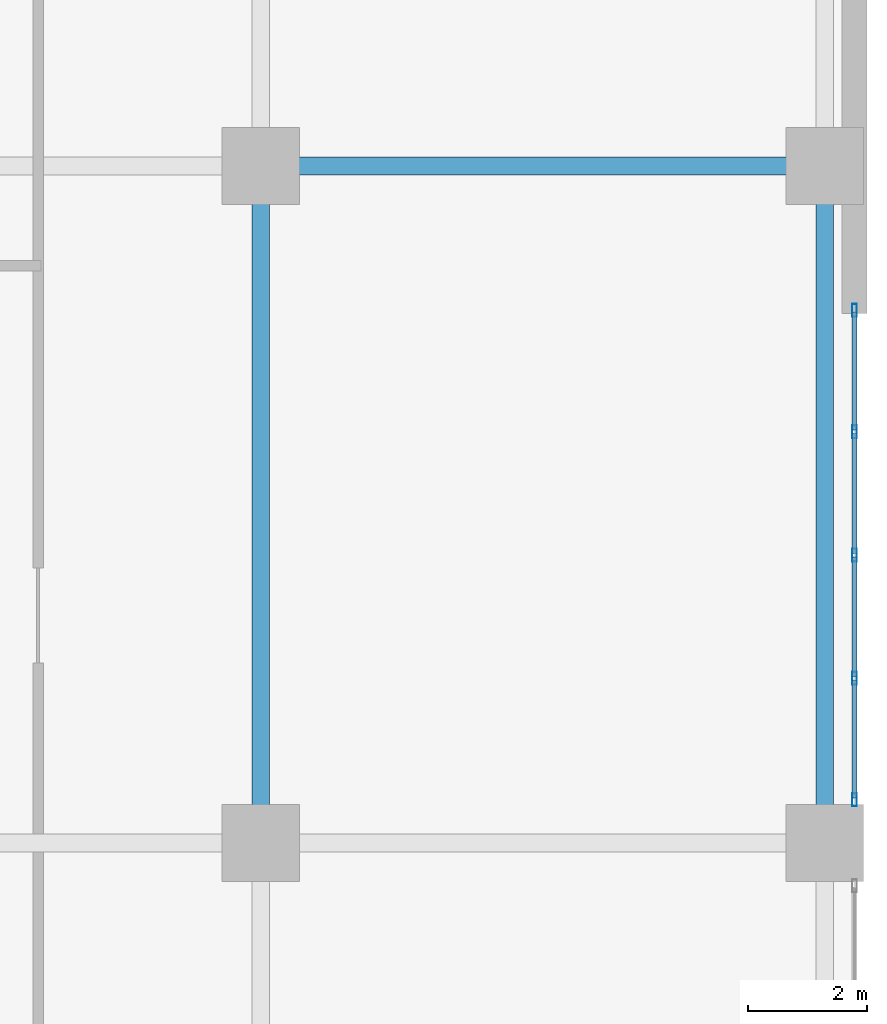
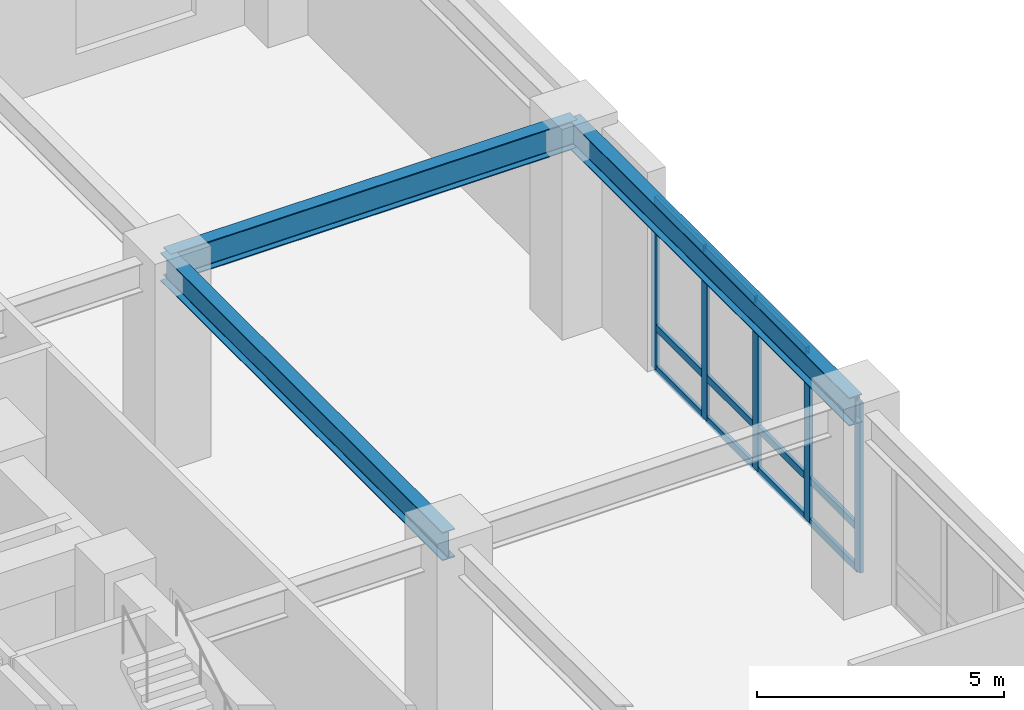
# One storey, part 16 of 26: 17 members, 3 beams, 1 element without a shape of its own.
"""IFC4 building model written with IfcOpenShell, lengths in metres."""

from ifc_helpers import new_model, si_unit, direction, frame, origin, origin_2d, place, context, subcontext, project, spatial, hollow_rectangle, i_section, extrude, material, layer, layer_set, material_profile, profile_set, type_object, element, aggregate, save


model = new_model("IFC4")

# Units and contexts
model_context = context("Model", 3, precision=1e-05, world=origin(), true_north=direction((0.0, 1.0)))
body_context = subcontext(model_context, "Body", "Model", "MODEL_VIEW")
ifc_project = project(units=[si_unit("LENGTHUNIT", "METRE"), si_unit("AREAUNIT", "SQUARE_METRE"), si_unit("VOLUMEUNIT", "CUBIC_METRE"), si_unit("PLANEANGLEUNIT", "RADIAN"), si_unit("MASSUNIT", "GRAM", prefix="KILO")], contexts=[model_context])

# Site, building, storey
site_placement = place(None, origin())
site = spatial("IfcSite", under=ifc_project, at=site_placement, CompositionType="ELEMENT")
building_placement = place(site_placement, origin())
building = spatial("IfcBuilding", under=site, at=building_placement, Name="Voryun Gate Residences", CompositionType="ELEMENT")
storey_placement = place(building_placement, frame((0.0, 0.0, 10.39990234375)))
storey = spatial("IfcBuildingStorey", under=building, at=storey_placement, Name="L02", CompositionType="ELEMENT", Elevation=10.39990234375)

# Beams
ifc_material_1 = material(Name="Steel SM355", Category="steel")
ifc_material_profile_1 = material_profile(ifc_material_1, i_section(OverallWidth=0.300048828125, OverallDepth=0.699951171875, WebThickness=0.012939453125, FlangeThickness=0.02392578125, FilletRadius=0.01806640625, at=origin_2d()), Name="H-700x300x13x24")
ifc_profile_set_1 = profile_set([ifc_material_profile_1], Name="Steel SM355")
beam_type = type_object("IfcBeamType", Name="BM_GIRD_700", PredefinedType="USERDEFINED", material=ifc_profile_set_1)
beam_placement = place(storey_placement, frame((25.60009765625, 11.39990234375, 4.570068359375), z_axis=(1.0, 0.0, 0.0), x_axis=(0.0, 1.0, 0.0)))
element("IfcBeam", 1, at=beam_placement, inside=storey, type_object=beam_type, Name="BM-L02-PEX-+11.4-1", ObjectType="GIRDER", PredefinedType="USERDEFINED", context=body_context, shape_type="SweptSolid", body=[
    extrude(i_section(OverallWidth=0.300048828125, OverallDepth=0.699951171875, WebThickness=0.012939453125, FlangeThickness=0.02392578125, FilletRadius=0.01806640625, at=origin_2d()), origin(), (0.0, 0.0, 1.0), 9.5),
])
for number, where, z_axis, x_axis, name in (
    (2, (25.60009765625, 0.0, 4.570068359375), (0.0, 1.0, 0.0), (-1.0, 0.0, 0.0), "BM-L02-PEY-+25.6-2"),
    (3, (35.10009765625, 0.0, 4.570068359375), (0.0, 1.0, 0.0), (-1.0, 0.0, 0.0), "BM-L02-PEY-+35.1-2"),
):
    element("IfcBeam", number, at=place(storey_placement, frame(where, z_axis=z_axis, x_axis=x_axis)), inside=storey, type_object=beam_type, Name=name, ObjectType="GIRDER", PredefinedType="USERDEFINED", context=body_context, shape_type="SweptSolid", body=[
        extrude(i_section(OverallWidth=0.300048828125, OverallDepth=0.699951171875, WebThickness=0.012939453125, FlangeThickness=0.02392578125, FilletRadius=0.01806640625, at=origin_2d()), origin(), (0.0, 0.0, 1.0), 11.39990234375),
    ])

# Curtain wall, members
ifc_material_2 = material(Name="Anodised aluminium", Category="aluminium")
ifc_layer = layer(ifc_material_2, 0.219970703125, Name="CW_SYS_POD_DARK_GLASS")
ifc_layer_set = layer_set([ifc_layer], Name="Anodised aluminium")
curtain_wall_type = type_object("IfcCurtainWallType", Name="CW_SYS_POD_DARK_GLASS", PredefinedType="NOTDEFINED", material=ifc_layer_set)
curtain_wall_placement = place(storey_placement, origin())
curtain_wall = element("IfcCurtainWall", 4, at=curtain_wall_placement, inside=storey, type_object=curtain_wall_type, Name="Curtain wall CW1-L02-EPE-N", PredefinedType="NOTDEFINED")
ifc_material_3 = material(Name="Anodised aluminium", Category="aluminium")
ifc_material_profile_2 = material_profile(ifc_material_3, hollow_rectangle(XDim=0.080078125, YDim=0.219970703125, WallThickness=0.0048828125, at=origin_2d()), Name="ALU-MULL-220x80x5")
ifc_profile_set_2 = profile_set([ifc_material_profile_2], Name="Anodised aluminium")
member_type_1 = type_object("IfcMemberType", Name="CW_MULL_POD", PredefinedType="MULLION", material=ifc_profile_set_2)
member_1_placement = place(storey_placement, frame((35.60009765625, 0.72509765625, 0.0), z_axis=(0.0, 0.0, 1.0), x_axis=(-1.0, 0.0, 0.0)))
member_1 = element("IfcMember", 5, at=member_1_placement, type_object=member_type_1, Name="CW1 mullion 1", PredefinedType="MULLION", context=body_context, shape_type="SweptSolid", body=[
    extrude(hollow_rectangle(XDim=0.080078125, YDim=0.219970703125, WallThickness=0.0048828125, at=origin_2d()), origin(), (0.0, 0.0, 1.0), 4.2001953125),
])
member_2_placement = place(storey_placement, frame((35.60009765625, 2.771240234375, 0.0), z_axis=(0.0, 0.0, 1.0), x_axis=(-1.0, 0.0, 0.0)))
member_2 = element("IfcMember", 6, at=member_2_placement, type_object=member_type_1, Name="CW1 mullion 2", PredefinedType="MULLION", context=body_context, shape_type="SweptSolid", body=[
    extrude(hollow_rectangle(XDim=0.080078125, YDim=0.219970703125, WallThickness=0.0048828125, at=origin_2d()), origin(), (0.0, 0.0, 1.0), 4.2001953125),
])
member_3_placement = place(storey_placement, frame((35.60009765625, 4.847412109375, 0.0), z_axis=(0.0, 0.0, 1.0), x_axis=(-1.0, 0.0, 0.0)))
member_3 = element("IfcMember", 7, at=member_3_placement, type_object=member_type_1, Name="CW1 mullion 3", PredefinedType="MULLION", context=body_context, shape_type="SweptSolid", body=[
    extrude(hollow_rectangle(XDim=0.080078125, YDim=0.219970703125, WallThickness=0.0048828125, at=origin_2d()), origin(), (0.0, 0.0, 1.0), 4.2001953125),
])
member_4_placement = place(storey_placement, frame((35.60009765625, 6.923828125, 0.0), z_axis=(0.0, 0.0, 1.0), x_axis=(-1.0, 0.0, 0.0)))
member_4 = element("IfcMember", 8, at=member_4_placement, type_object=member_type_1, Name="CW1 mullion 4", PredefinedType="MULLION", context=body_context, shape_type="SweptSolid", body=[
    extrude(hollow_rectangle(XDim=0.080078125, YDim=0.219970703125, WallThickness=0.0048828125, at=origin_2d()), origin(), (0.0, 0.0, 1.0), 4.2001953125),
])
member_5_placement = place(storey_placement, frame((35.60009765625, 8.969970703125, 0.0), z_axis=(0.0, 0.0, 1.0), x_axis=(-1.0, 0.0, 0.0)))
member_5 = element("IfcMember", 9, at=member_5_placement, type_object=member_type_1, Name="CW1 mullion 5", PredefinedType="MULLION", context=body_context, shape_type="SweptSolid", body=[
    extrude(hollow_rectangle(XDim=0.080078125, YDim=0.219970703125, WallThickness=0.0048828125, at=origin_2d()), origin(), (0.0, 0.0, 1.0), 4.2001953125),
])
ifc_material_4 = material(Name="Anodised aluminium", Category="aluminium")
ifc_material_profile_3 = material_profile(ifc_material_4, hollow_rectangle(XDim=0.080078125, YDim=0.179931640625, WallThickness=0.0048828125, at=origin_2d()), Name="ALU-TRAN-180x80x5")
ifc_profile_set_3 = profile_set([ifc_material_profile_3], Name="Anodised aluminium")
member_type_2 = type_object("IfcMemberType", Name="CW_TRAN_POD", PredefinedType="USERDEFINED", material=ifc_profile_set_3)
member_6_placement = place(storey_placement, frame((35.60009765625, 0.7548828125, 0.030029296875), z_axis=(0.0, 1.0, 0.0), x_axis=(-1.0, 0.0, 0.0)))
member_6 = element("IfcMember", 10, at=member_6_placement, type_object=member_type_2, Name="CW1 transom 1.1", ObjectType="TRANSOM", PredefinedType="USERDEFINED", context=body_context, shape_type="SweptSolid", body=[
    extrude(hollow_rectangle(XDim=0.080078125, YDim=0.179931640625, WallThickness=0.0048828125, at=origin_2d()), origin(), (0.0, 0.0, 1.0), 1.986328125),
])
member_7_placement = place(storey_placement, frame((35.60009765625, 0.7548828125, 1.050048828125), z_axis=(0.0, 1.0, 0.0), x_axis=(-1.0, 0.0, 0.0)))
member_7 = element("IfcMember", 11, at=member_7_placement, type_object=member_type_2, Name="CW1 transom 1.2", ObjectType="TRANSOM", PredefinedType="USERDEFINED", context=body_context, shape_type="SweptSolid", body=[
    extrude(hollow_rectangle(XDim=0.080078125, YDim=0.179931640625, WallThickness=0.0048828125, at=origin_2d()), origin(), (0.0, 0.0, 1.0), 1.986328125),
])
member_8_placement = place(storey_placement, frame((35.60009765625, 0.7548828125, 4.170166015625), z_axis=(0.0, 1.0, 0.0), x_axis=(-1.0, 0.0, 0.0)))
member_8 = element("IfcMember", 12, at=member_8_placement, type_object=member_type_2, Name="CW1 transom 1.3", ObjectType="TRANSOM", PredefinedType="USERDEFINED", context=body_context, shape_type="SweptSolid", body=[
    extrude(hollow_rectangle(XDim=0.080078125, YDim=0.179931640625, WallThickness=0.0048828125, at=origin_2d()), origin(), (0.0, 0.0, 1.0), 1.986328125),
])
member_9_placement = place(storey_placement, frame((35.60009765625, 2.80126953125, 0.030029296875), z_axis=(0.0, 1.0, 0.0), x_axis=(-1.0, 0.0, 0.0)))
member_9 = element("IfcMember", 13, at=member_9_placement, type_object=member_type_2, Name="CW1 transom 2.1", ObjectType="TRANSOM", PredefinedType="USERDEFINED", context=body_context, shape_type="SweptSolid", body=[
    extrude(hollow_rectangle(XDim=0.080078125, YDim=0.179931640625, WallThickness=0.0048828125, at=origin_2d()), origin(), (0.0, 0.0, 1.0), 2.01611328125),
])
member_10_placement = place(storey_placement, frame((35.60009765625, 2.80126953125, 1.050048828125), z_axis=(0.0, 1.0, 0.0), x_axis=(-1.0, 0.0, 0.0)))
member_10 = element("IfcMember", 14, at=member_10_placement, type_object=member_type_2, Name="CW1 transom 2.2", ObjectType="TRANSOM", PredefinedType="USERDEFINED", context=body_context, shape_type="SweptSolid", body=[
    extrude(hollow_rectangle(XDim=0.080078125, YDim=0.179931640625, WallThickness=0.0048828125, at=origin_2d()), origin(), (0.0, 0.0, 1.0), 2.01611328125),
])
member_11_placement = place(storey_placement, frame((35.60009765625, 2.80126953125, 4.170166015625), z_axis=(0.0, 1.0, 0.0), x_axis=(-1.0, 0.0, 0.0)))
member_11 = element("IfcMember", 15, at=member_11_placement, type_object=member_type_2, Name="CW1 transom 2.3", ObjectType="TRANSOM", PredefinedType="USERDEFINED", context=body_context, shape_type="SweptSolid", body=[
    extrude(hollow_rectangle(XDim=0.080078125, YDim=0.179931640625, WallThickness=0.0048828125, at=origin_2d()), origin(), (0.0, 0.0, 1.0), 2.01611328125),
])
member_12_placement = place(storey_placement, frame((35.60009765625, 4.87744140625, 0.030029296875), z_axis=(0.0, 1.0, 0.0), x_axis=(-1.0, 0.0, 0.0)))
member_12 = element("IfcMember", 16, at=member_12_placement, type_object=member_type_2, Name="CW1 transom 3.1", ObjectType="TRANSOM", PredefinedType="USERDEFINED", context=body_context, shape_type="SweptSolid", body=[
    extrude(hollow_rectangle(XDim=0.080078125, YDim=0.179931640625, WallThickness=0.0048828125, at=origin_2d()), origin(), (0.0, 0.0, 1.0), 2.016357421875),
])
member_13_placement = place(storey_placement, frame((35.60009765625, 4.87744140625, 1.050048828125), z_axis=(0.0, 1.0, 0.0), x_axis=(-1.0, 0.0, 0.0)))
member_13 = element("IfcMember", 17, at=member_13_placement, type_object=member_type_2, Name="CW1 transom 3.2", ObjectType="TRANSOM", PredefinedType="USERDEFINED", context=body_context, shape_type="SweptSolid", body=[
    extrude(hollow_rectangle(XDim=0.080078125, YDim=0.179931640625, WallThickness=0.0048828125, at=origin_2d()), origin(), (0.0, 0.0, 1.0), 2.016357421875),
])
member_14_placement = place(storey_placement, frame((35.60009765625, 4.87744140625, 4.170166015625), z_axis=(0.0, 1.0, 0.0), x_axis=(-1.0, 0.0, 0.0)))
member_14 = element("IfcMember", 18, at=member_14_placement, type_object=member_type_2, Name="CW1 transom 3.3", ObjectType="TRANSOM", PredefinedType="USERDEFINED", context=body_context, shape_type="SweptSolid", body=[
    extrude(hollow_rectangle(XDim=0.080078125, YDim=0.179931640625, WallThickness=0.0048828125, at=origin_2d()), origin(), (0.0, 0.0, 1.0), 2.016357421875),
])
member_15_placement = place(storey_placement, frame((35.60009765625, 6.953857421875, 0.030029296875), z_axis=(0.0, 1.0, 0.0), x_axis=(-1.0, 0.0, 0.0)))
member_15 = element("IfcMember", 19, at=member_15_placement, type_object=member_type_2, Name="CW1 transom 4.1", ObjectType="TRANSOM", PredefinedType="USERDEFINED", context=body_context, shape_type="SweptSolid", body=[
    extrude(hollow_rectangle(XDim=0.080078125, YDim=0.179931640625, WallThickness=0.0048828125, at=origin_2d()), origin(), (0.0, 0.0, 1.0), 1.986083984375),
])
member_16_placement = place(storey_placement, frame((35.60009765625, 6.953857421875, 1.050048828125), z_axis=(0.0, 1.0, 0.0), x_axis=(-1.0, 0.0, 0.0)))
member_16 = element("IfcMember", 20, at=member_16_placement, type_object=member_type_2, Name="CW1 transom 4.2", ObjectType="TRANSOM", PredefinedType="USERDEFINED", context=body_context, shape_type="SweptSolid", body=[
    extrude(hollow_rectangle(XDim=0.080078125, YDim=0.179931640625, WallThickness=0.0048828125, at=origin_2d()), origin(), (0.0, 0.0, 1.0), 1.986083984375),
])
member_17_placement = place(storey_placement, frame((35.60009765625, 6.953857421875, 4.170166015625), z_axis=(0.0, 1.0, 0.0), x_axis=(-1.0, 0.0, 0.0)))
member_17 = element("IfcMember", 21, at=member_17_placement, type_object=member_type_2, Name="CW1 transom 4.3", ObjectType="TRANSOM", PredefinedType="USERDEFINED", context=body_context, shape_type="SweptSolid", body=[
    extrude(hollow_rectangle(XDim=0.080078125, YDim=0.179931640625, WallThickness=0.0048828125, at=origin_2d()), origin(), (0.0, 0.0, 1.0), 1.986083984375),
])
aggregate(curtain_wall, [member_1, member_2, member_3, member_4, member_5, member_6, member_7, member_8, member_9, member_10, member_11, member_12, member_13, member_14, member_15, member_16, member_17])

save(model, "model.ifc")
